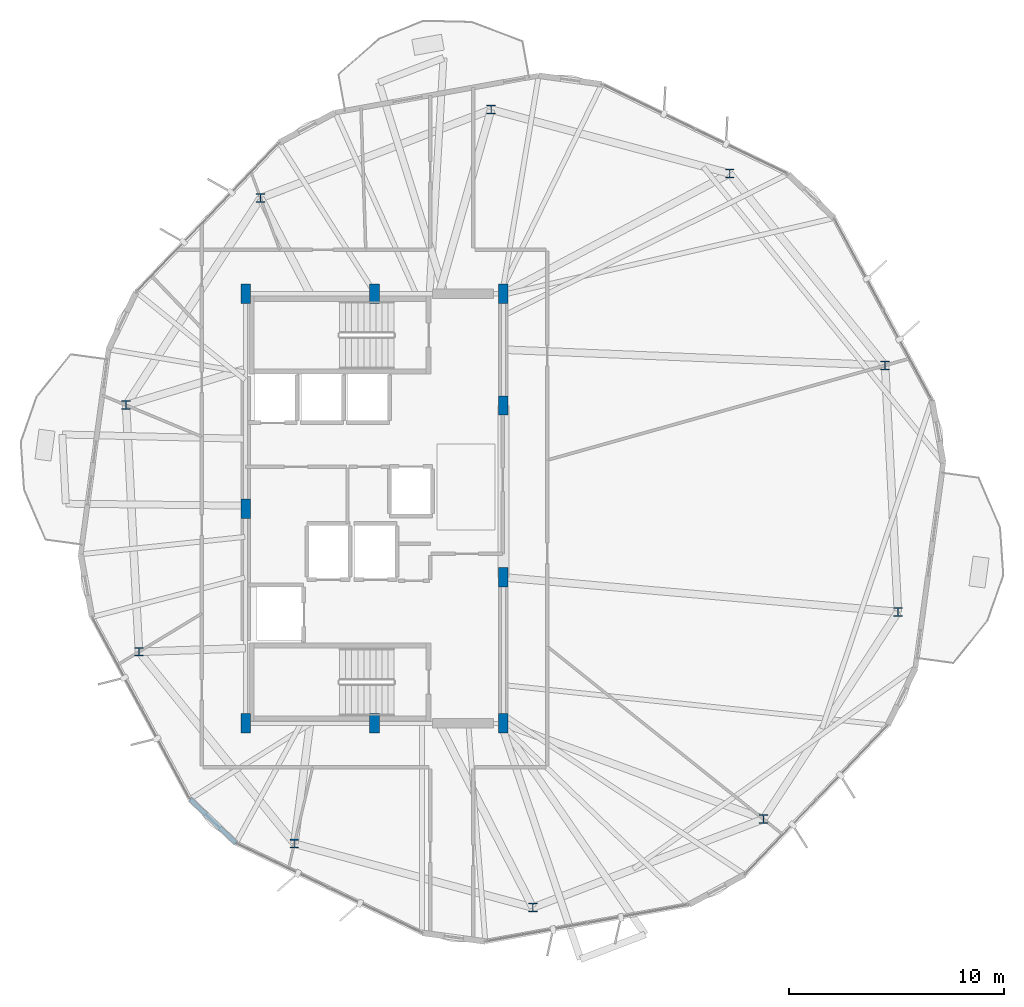
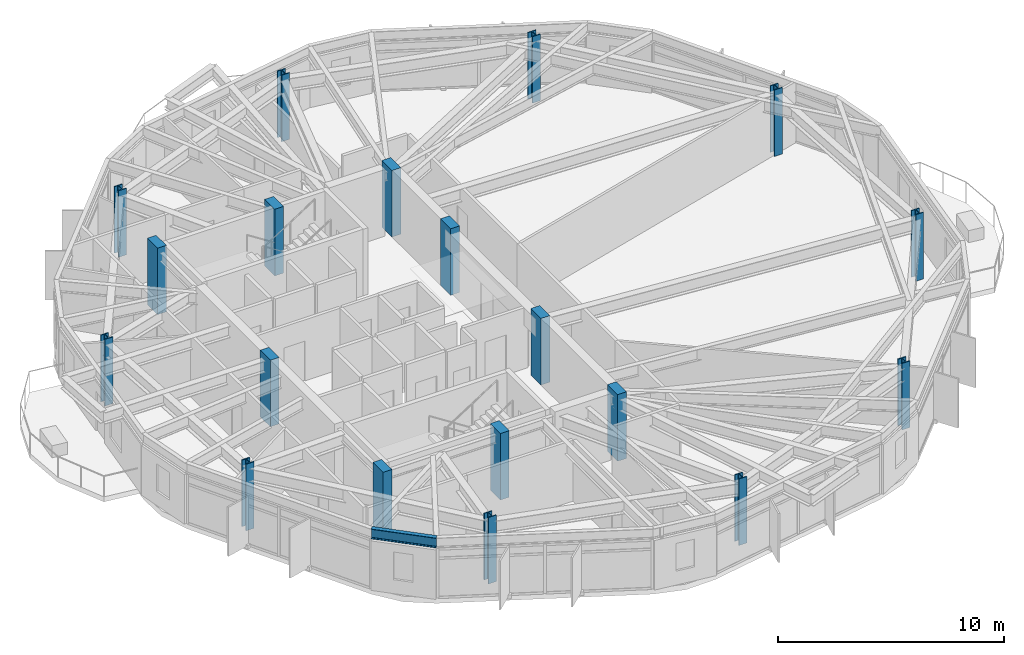
# One storey, part 1 of 27: 19 columns, 1 beam.
"""IFC4 building model written with IfcOpenShell, lengths in metres."""

import ifcopenshell
import ifcopenshell.guid

model = None  # the IFC model being written
_history = None  # IfcOwnerHistory: only IFC2X3 demands one
_inside = {}  # id of a spatial element -> (the spatial element, [elements in it])
_under = {}  # id of a project, library or spatial element -> (it, [spatial elements below it])
_declared = {}  # id of a project -> (the project, [libraries it declares])
_typed = {}  # id of a type object -> (the type object, [elements of that type])
_made_of = {}  # id of a material, layer set ... -> (it, [elements and type objects made of it])


def new_model(schema):
    """Start an empty IFC model of exactly this schema.

    Asked for "IFC4X3", IfcOpenShell would pick the latest addendum, in which some entities
    have other attributes; the version numbers below select the first issue.
    IFC2X3 requires an IfcOwnerHistory on every rooted entity: one is made here for all.
    """
    global model, _history
    if schema == "IFC4X3":
        model = ifcopenshell.file(schema_version=(4, 3, 0, 0))
    else:
        model = ifcopenshell.file(schema=schema)
    _inside.clear()
    _under.clear()
    _declared.clear()
    _typed.clear()
    _made_of.clear()
    _history = None
    if model.schema == "IFC2X3":
        org = make("IfcOrganization", Name="unknown")
        user = make(
            "IfcPersonAndOrganization",
            ThePerson=make("IfcPerson", FamilyName="unknown"),
            TheOrganization=org,
        )
        app = make(
            "IfcApplication",
            ApplicationDeveloper=org,
            Version="unknown",
            ApplicationFullName="unknown",
            ApplicationIdentifier="unknown",
        )
        _history = make(
            "IfcOwnerHistory",
            OwningUser=user,
            OwningApplication=app,
            ChangeAction="ADDED",
            CreationDate=0,
        )
    return model


def make(cls, **values):
    """One entity of the class cls with the attributes given. An attribute that is None is left unset."""
    return model.create_entity(
        cls, **{name: value for name, value in values.items() if value is not None}
    )


def rooted(cls, **values):
    """An entity with a GlobalId (a new one), such as an element, a storey or a relation."""
    return make(cls, GlobalId=ifcopenshell.guid.new(), OwnerHistory=_history, **values)


def si_unit(unit_type, name, prefix=None):
    """IfcSIUnit, for example si_unit("LENGTHUNIT", "METRE", prefix="MILLI")."""
    return make("IfcSIUnit", UnitType=unit_type, Prefix=prefix, Name=name)


def assignment(units):
    """IfcUnitAssignment: the units of a project."""
    return None if units is None else make("IfcUnitAssignment", Units=units)


def point(xyz):
    """IfcCartesianPoint."""
    return None if xyz is None else make("IfcCartesianPoint", Coordinates=xyz)


def direction(xyz):
    """IfcDirection."""
    return None if xyz is None else make("IfcDirection", DirectionRatios=xyz)


def frame(location, z_axis=None, x_axis=None):
    """IfcAxis2Placement3D, a coordinate frame: its origin and axes. An axis left out is left unset."""
    return make(
        "IfcAxis2Placement3D",
        Location=point(location),
        Axis=direction(z_axis),
        RefDirection=direction(x_axis),
    )


def frame_2d(location, x_axis=None):
    """IfcAxis2Placement2D, a coordinate frame in the plane: its origin and x axis."""
    return make(
        "IfcAxis2Placement2D", Location=point(location), RefDirection=direction(x_axis)
    )


def origin():
    """The frame at (0, 0, 0) with its axes left unset."""
    return frame((0.0, 0.0, 0.0))


def origin_2d():
    """The frame at (0, 0) in the plane with its x axis left unset."""
    return frame_2d((0.0, 0.0))


def place(relative_to, where):
    """IfcLocalPlacement: puts the frame where relative to a parent placement (None: the world)."""
    return make(
        "IfcLocalPlacement", PlacementRelTo=relative_to, RelativePlacement=where
    )


def context(
    kind, dimensions, precision=None, world=None, true_north=None, identifier=None
):
    """IfcGeometricRepresentationContext, for example the 3D "Model" context."""
    return make(
        "IfcGeometricRepresentationContext",
        ContextIdentifier=identifier,
        ContextType=kind,
        CoordinateSpaceDimension=dimensions,
        Precision=precision,
        WorldCoordinateSystem=world,
        TrueNorth=true_north,
    )


def subcontext(parent, identifier, kind, view, scale=None):
    """IfcGeometricRepresentationSubContext, for example "Body" below "Model"."""
    return make(
        "IfcGeometricRepresentationSubContext",
        ContextIdentifier=identifier,
        ContextType=kind,
        ParentContext=parent,
        TargetScale=scale,
        TargetView=view,
    )


def project(units=None, contexts=None):
    """IfcProject with its units and contexts."""
    return rooted(
        "IfcProject",
        Name="project",
        RepresentationContexts=contexts,
        UnitsInContext=assignment(units),
    )


def spatial(cls, under=None, at=None, **own):
    """A site, building, storey or space (cls), placed at a placement, below another one or the project."""
    s = rooted(cls, ObjectPlacement=at, **own)
    if under is not None:
        _under.setdefault(under.id(), (under, []))[1].append(s)
    return s


def profile(cls, at=None, kind="AREA", **sizes):
    """A parametric profile (cls). Its sizes go by their IFC names, for example OverallWidth=200.0."""
    return make(cls, ProfileType=kind, Position=at, **sizes)


def rectangle(**sizes):
    """IfcRectangleProfileDef."""
    return profile("IfcRectangleProfileDef", **sizes)


def i_section(**sizes):
    """IfcIShapeProfileDef."""
    return profile("IfcIShapeProfileDef", **sizes)


def extrude(swept, where, along, depth):
    """IfcExtrudedAreaSolid: the profile swept, set in the frame where, extruded along a direction by depth."""
    return make(
        "IfcExtrudedAreaSolid",
        SweptArea=swept,
        Position=where,
        ExtrudedDirection=direction(along),
        Depth=depth,
    )


def shape(context_of_items, identifier, shape_type, items):
    """IfcShapeRepresentation: the items that make up one representation, for example the "Body"."""
    return make(
        "IfcShapeRepresentation",
        ContextOfItems=context_of_items,
        RepresentationIdentifier=identifier,
        RepresentationType=shape_type,
        Items=items,
    )


def material(Name=None, Category=None):
    """IfcMaterial."""
    return make("IfcMaterial", Name=Name, Category=Category)


def material_profile(
    of_material, cross_section, Name=None, Category=None, Priority=None
):
    """IfcMaterialProfile: a cross section and its material."""
    return make(
        "IfcMaterialProfile",
        Name=Name,
        Material=of_material,
        Profile=cross_section,
        Priority=Priority,
        Category=Category,
    )


def profile_set(profiles, Name=None, composite=None):
    """IfcMaterialProfileSet."""
    return make(
        "IfcMaterialProfileSet",
        Name=Name,
        MaterialProfiles=profiles,
        CompositeProfile=composite,
    )


def made_of(thing, what):
    """Note that an element or type object is made of a material, layer set ...; save() writes the relation."""
    if what is not None:
        _made_of.setdefault(what.id(), (what, []))[1].append(thing)
    return thing


def type_object(cls, material=None, **own):
    """A type object (cls), such as IfcWallType, which elements share."""
    return made_of(rooted(cls, **own), material)


def element(
    cls,
    number,
    at=None,
    inside=None,
    cuts=None,
    type_object=None,
    material=None,
    context=None,
    identifier="Body",
    shape_type=None,
    held_by="IfcProductDefinitionShape",
    body=None,
    shapes=None,
    **own,
):
    """One element of the class cls, such as IfcWall. Its Tag is "e" and its number.

    at: its placement. inside: the storey or other place that contains it. cuts: it is an
    opening in that element (IfcRelVoidsElement). A single representation is given by context,
    identifier, shape_type and body (its items); several are given by shapes. held_by: the class
    of the entity that holds the representations. save() writes the other relations.
    """
    e = rooted(cls, Tag="e%d" % number, ObjectPlacement=at, **own)
    if body is not None:
        shapes = [shape(context, identifier, shape_type, body)]
    if shapes is not None:
        e.Representation = make(held_by, Representations=shapes)
    if inside is not None:
        _inside.setdefault(inside.id(), (inside, []))[1].append(e)
    if cuts is not None:
        rooted(
            "IfcRelVoidsElement", RelatingBuildingElement=cuts, RelatedOpeningElement=e
        )
    if type_object is not None:
        _typed.setdefault(type_object.id(), (type_object, []))[1].append(e)
    return made_of(e, material)


def aggregate(whole, parts):
    """IfcRelAggregates: a whole, such as a stair, and the parts it consists of."""
    return rooted("IfcRelAggregates", RelatingObject=whole, RelatedObjects=parts)


def save(model, path):
    """Write the relations noted so far, then the file.

    IfcRelAggregates (storeys below a building ...), IfcRelContainedInSpatialStructure (elements
    in a storey), IfcRelDefinesByType, IfcRelAssociatesMaterial and IfcRelDeclares: one each for
    every whole, place, type object, material and project.
    """
    for whole, parts in _under.values():
        aggregate(whole, parts)
    for where, things in _inside.values():
        rooted(
            "IfcRelContainedInSpatialStructure",
            RelatedElements=things,
            RelatingStructure=where,
        )
    for kind, things in _typed.values():
        rooted("IfcRelDefinesByType", RelatedObjects=things, RelatingType=kind)
    for what, things in _made_of.values():
        rooted("IfcRelAssociatesMaterial", RelatedObjects=things, RelatingMaterial=what)
    for by, libraries in _declared.values():
        rooted("IfcRelDeclares", RelatingContext=by, RelatedDefinitions=libraries)
    model.write(path)


model = new_model("IFC4")

# Units and contexts
model_context = context("Model", 3, precision=1e-05, world=origin(), true_north=direction((0.0, 1.0)))
body_context = subcontext(model_context, "Body", "Model", "MODEL_VIEW")
ifc_project = project(units=[si_unit("LENGTHUNIT", "METRE"), si_unit("AREAUNIT", "SQUARE_METRE"), si_unit("VOLUMEUNIT", "CUBIC_METRE"), si_unit("PLANEANGLEUNIT", "RADIAN"), si_unit("MASSUNIT", "GRAM", prefix="KILO")], contexts=[model_context])

# Site, building, storey
site_placement = place(None, origin())
site = spatial("IfcSite", under=ifc_project, at=site_placement, CompositionType="ELEMENT")
building_placement = place(site_placement, origin())
building = spatial("IfcBuilding", under=site, at=building_placement, Name="Soratama Intermodal Tower", CompositionType="ELEMENT")
storey_placement = place(building_placement, frame((0.0, 0.0, 208.60009765625)))
storey = spatial("IfcBuildingStorey", under=building, at=storey_placement, Name="L52", CompositionType="ELEMENT", Elevation=208.60009765625)

# Columns
ifc_material_1 = material(Name="Structural steel ASTM A992 Grade 50", Category="steel")
ifc_material_profile_1 = material_profile(ifc_material_1, i_section(OverallWidth=0.406005859375, OverallDepth=0.416015625, WebThickness=0.02978515625, FlangeThickness=0.048095703125, FilletRadius=0.0380859375, at=origin_2d()), Name="W14X257")
ifc_profile_set_1 = profile_set([ifc_material_profile_1], Name="Structural steel ASTM A992 Grade 50")
column_type_1 = type_object("IfcColumnType", Name="COL-ZD-W14X257", PredefinedType="COLUMN", material=ifc_profile_set_1)
for number, where, z_axis, x_axis, name in (
    (1, (62.364501953125, 31.66552734375, 0.0), (0.0, 0.0, 1.0), (1.0, 0.0, 0.0), "L52 Tower Ring Column R01"),
    (2, (55.13037109375, 40.599365234375, 0.0), (0.0, 0.0, 1.0), (1.0, 0.0, 0.0), "L52 Tower Ring Column R02"),
    (3, (44.026611328125, 43.574462890625, 0.0), (0.0, 0.0, 1.0), (1.0, 0.0, 0.0), "L52 Tower Ring Column R03"),
    (4, (33.294677734375, 39.454833984375, 0.0), (0.0, 0.0, 1.0), (1.0, 0.0, 0.0), "L52 Tower Ring Column R04"),
    (5, (27.03369140625, 29.81396484375, 0.0), (0.0, 0.0, 1.0), (1.0, 0.0, 0.0), "L52 Tower Ring Column R05"),
    (6, (27.635498046875, 18.33447265625, 0.0), (0.0, 0.0, 1.0), (1.0, 0.0, 0.0), "L52 Tower Ring Column R06"),
    (7, (34.86962890625, 9.400634765625, 0.0), (0.0, 0.0, 1.0), (1.0, 0.0, 0.0), "L52 Tower Ring Column R07"),
    (8, (45.973388671875, 6.425537109375, 0.0), (0.0, 0.0, 1.0), (1.0, 0.0, 0.0), "L52 Tower Ring Column R08"),
    (9, (56.705322265625, 10.545166015625, 0.0), (0.0, 0.0, 1.0), (1.0, 0.0, 0.0), "L52 Tower Ring Column R09"),
    (10, (62.96630859375, 20.18603515625, 0.0), (0.0, 0.0, 1.0), (1.0, 0.0, 0.0), "L52 Tower Ring Column R10"),
):
    element("IfcColumn", number, at=place(storey_placement, frame(where, z_axis=z_axis, x_axis=x_axis)), inside=storey, type_object=column_type_1, Name=name, PredefinedType="COLUMN", context=body_context, shape_type="SweptSolid", body=[
        extrude(i_section(OverallWidth=0.406005859375, OverallDepth=0.416015625, WebThickness=0.02978515625, FlangeThickness=0.048095703125, FilletRadius=0.0380859375, at=origin_2d()), origin(), (0.0, 0.0, 1.0), 3.599853515625),
    ])
ifc_material_2 = material(Name="Concrete f'c 56 MPa", Category="concrete")
ifc_material_profile_2 = material_profile(ifc_material_2, rectangle(XDim=0.449951171875, YDim=0.89990234375, at=origin_2d()), Name="RC450X900")
ifc_profile_set_2 = profile_set([ifc_material_profile_2], Name="Concrete f'c 56 MPa")
column_type_2 = type_object("IfcColumnType", Name="PIL-CORE-450X900", PredefinedType="PILASTER", material=ifc_profile_set_2)
for number, where, z_axis, x_axis, name in (
    (11, (32.60009765625, 15.0, 0.0), (0.0, 0.0, 1.0), (1.0, 0.0, 0.0), "L52 Core Pilaster 1"),
    (12, (32.60009765625, 25.0, 0.0), (0.0, 0.0, 1.0), (1.0, 0.0, 0.0), "L52 Core Pilaster 2"),
    (13, (32.60009765625, 35.0, 0.0), (0.0, 0.0, 1.0), (1.0, 0.0, 0.0), "L52 Core Pilaster 3"),
    (14, (38.60009765625, 15.0, 0.0), (0.0, 0.0, 1.0), (1.0, 0.0, 0.0), "L52 Core Pilaster 4"),
    (15, (38.60009765625, 35.0, 0.0), (0.0, 0.0, 1.0), (1.0, 0.0, 0.0), "L52 Core Pilaster 5"),
    (16, (44.60009765625, 15.0, 0.0), (0.0, 0.0, 1.0), (1.0, 0.0, 0.0), "L52 Core Pilaster 6"),
    (17, (44.60009765625, 21.800048828125, 0.0), (0.0, 0.0, 1.0), (1.0, 0.0, 0.0), "L52 Core Pilaster 7"),
    (18, (44.60009765625, 29.800048828125, 0.0), (0.0, 0.0, 1.0), (1.0, 0.0, 0.0), "L52 Core Pilaster 8"),
    (19, (44.60009765625, 35.0, 0.0), (0.0, 0.0, 1.0), (1.0, 0.0, 0.0), "L52 Core Pilaster 9"),
):
    element("IfcColumn", number, at=place(storey_placement, frame(where, z_axis=z_axis, x_axis=x_axis)), inside=storey, type_object=column_type_2, Name=name, PredefinedType="PILASTER", context=body_context, shape_type="SweptSolid", body=[
        extrude(rectangle(XDim=0.449951171875, YDim=0.89990234375, at=origin_2d()), origin(), (0.0, 0.0, 1.0), 3.599853515625),
    ])

# Beam
ifc_material_3 = material(Name="Structural steel ASTM A992 Grade 50", Category="steel")
ifc_material_profile_3 = material_profile(ifc_material_3, i_section(OverallWidth=0.2099609375, OverallDepth=0.537109375, WebThickness=0.010986328125, FlangeThickness=0.017333984375, FilletRadius=0.012939453125, at=origin_2d()), Name="W21X68")
ifc_profile_set_3 = profile_set([ifc_material_profile_3], Name="Structural steel ASTM A992 Grade 50")
beam_type = type_object("IfcBeamType", Name="BM-SPN-W21X68", PredefinedType="SPANDREL", material=ifc_profile_set_3)
beam_placement = place(storey_placement, frame((30.006103515625, 11.47705078125, 3.031494140625), z_axis=(0.722411226478, -0.691463679349, 0.0), x_axis=(0.691463679349, 0.722411226478, 0.0)))
element("IfcBeam", 20, at=beam_placement, inside=storey, type_object=beam_type, Name="BS-L52-CRN05", PredefinedType="SPANDREL", context=body_context, shape_type="SweptSolid", body=[
    extrude(i_section(OverallWidth=0.2099609375, OverallDepth=0.537109375, WebThickness=0.010986328125, FlangeThickness=0.017333984375, FilletRadius=0.012939453125, at=origin_2d()), origin(), (0.0, 0.0, 1.0), 2.96630859375),
])

save(model, "model.ifc")
